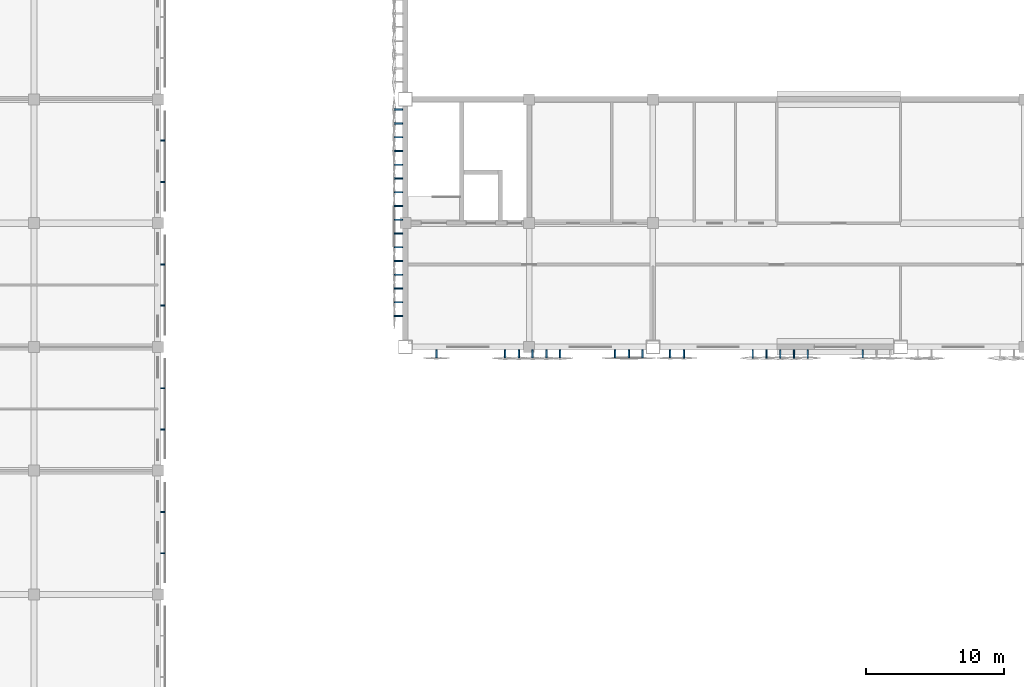
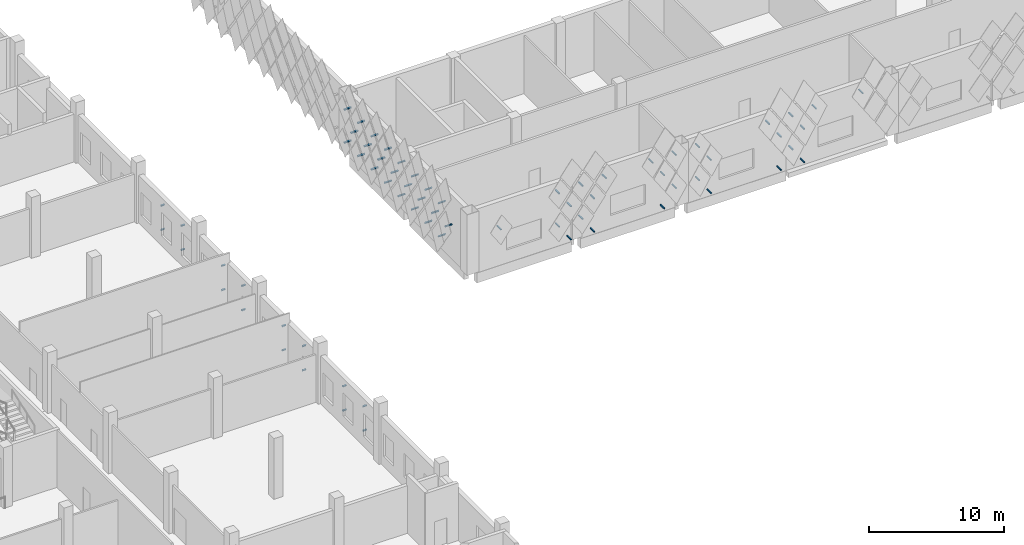
# One storey, part 136 of 185: 68 discrete accessories.
"""IFC4 building model written with IfcOpenShell, lengths in metres."""

from ifc_helpers import new_model, si_unit, direction, frame, origin, origin_2d, place, context, subcontext, project, spatial, polyline, rectangle, outline, extrude, material, type_object, element, save


model = new_model("IFC4")

# Units and contexts
model_context = context("Model", 3, precision=1e-05, world=origin(), true_north=direction((0.0, 1.0)))
body_context = subcontext(model_context, "Body", "Model", "MODEL_VIEW")
ifc_project = project(units=[si_unit("LENGTHUNIT", "METRE"), si_unit("AREAUNIT", "SQUARE_METRE"), si_unit("VOLUMEUNIT", "CUBIC_METRE"), si_unit("PLANEANGLEUNIT", "RADIAN"), si_unit("MASSUNIT", "GRAM", prefix="KILO")], contexts=[model_context])

# Site, building, storey
site_placement = place(None, origin())
site = spatial("IfcSite", under=ifc_project, at=site_placement, CompositionType="ELEMENT")
building_placement = place(site_placement, origin())
building = spatial("IfcBuilding", under=site, at=building_placement, Name="Opaline Strait Convention Centre", CompositionType="ELEMENT")
storey_placement = place(building_placement, frame((0.0, 0.0, 6.0)))
storey = spatial("IfcBuildingStorey", under=building, at=storey_placement, Name="L01", CompositionType="ELEMENT", Elevation=6.0)

# Discrete accessories
ifc_material_1 = material(Name="Stainless steel 316", Category="steel")
discrete_accessory_type_1 = type_object("IfcDiscreteAccessoryType", Name="Screen bracket 300 stainless steel 316", PredefinedType="BRACKET", material=ifc_material_1)
for number, where, z_axis, x_axis, name in (
    (1, (81.35009765625, 39.0, 0.75), (0.0, 0.0, 1.0), (1.0, 0.0, 0.0), "Screen bracket L01 bay 4"),
    (2, (81.35009765625, 39.0, 2.949951171875), (0.0, 0.0, 1.0), (1.0, 0.0, 0.0), "Screen bracket L01 bay 4"),
    (3, (81.35009765625, 42.0, 0.75), (0.0, 0.0, 1.0), (1.0, 0.0, 0.0), "Screen bracket L01 bay 4"),
    (4, (81.35009765625, 42.0, 2.949951171875), (0.0, 0.0, 1.0), (1.0, 0.0, 0.0), "Screen bracket L01 bay 4"),
    (5, (81.35009765625, 48.0, 0.75), (0.0, 0.0, 1.0), (1.0, 0.0, 0.0), "Screen bracket L01 bay 5"),
    (6, (81.35009765625, 48.0, 2.949951171875), (0.0, 0.0, 1.0), (1.0, 0.0, 0.0), "Screen bracket L01 bay 5"),
    (7, (81.35009765625, 51.0, 0.75), (0.0, 0.0, 1.0), (1.0, 0.0, 0.0), "Screen bracket L01 bay 5"),
    (8, (81.35009765625, 51.0, 2.949951171875), (0.0, 0.0, 1.0), (1.0, 0.0, 0.0), "Screen bracket L01 bay 5"),
    (9, (81.35009765625, 57.0, 0.75), (0.0, 0.0, 1.0), (1.0, 0.0, 0.0), "Screen bracket L01 bay 6"),
    (10, (81.35009765625, 57.0, 2.949951171875), (0.0, 0.0, 1.0), (1.0, 0.0, 0.0), "Screen bracket L01 bay 6"),
    (11, (81.35009765625, 60.0, 0.75), (0.0, 0.0, 1.0), (1.0, 0.0, 0.0), "Screen bracket L01 bay 6"),
    (12, (81.35009765625, 60.0, 2.949951171875), (0.0, 0.0, 1.0), (1.0, 0.0, 0.0), "Screen bracket L01 bay 6"),
    (13, (81.35009765625, 66.0, 0.75), (0.0, 0.0, 1.0), (1.0, 0.0, 0.0), "Screen bracket L01 bay 7"),
    (14, (81.35009765625, 66.0, 2.949951171875), (0.0, 0.0, 1.0), (1.0, 0.0, 0.0), "Screen bracket L01 bay 7"),
    (15, (81.35009765625, 69.0, 0.75), (0.0, 0.0, 1.0), (1.0, 0.0, 0.0), "Screen bracket L01 bay 7"),
    (16, (81.35009765625, 69.0, 2.949951171875), (0.0, 0.0, 1.0), (1.0, 0.0, 0.0), "Screen bracket L01 bay 7"),
):
    element("IfcDiscreteAccessory", number, at=place(storey_placement, frame(where, z_axis=z_axis, x_axis=x_axis)), inside=storey, type_object=discrete_accessory_type_1, Name=name, PredefinedType="BRACKET", context=body_context, shape_type="SweptSolid", body=[
        extrude(rectangle(XDim=0.300048828125, YDim=0.10009765625, at=origin_2d()), origin(), (0.0, 0.0, 1.0), 0.10009765625),
    ])
ifc_material_2 = material(Name="Steel Q355B", Category="steel")
discrete_accessory_type_2 = type_object("IfcDiscreteAccessoryType", Name="Tile bracket 100x100 steel", PredefinedType="BRACKET", material=ifc_material_2)
discrete_accessory_1_placement = place(storey_placement, frame((107.199951171875, 53.800048828125, 0.39208984375), z_axis=(1.0, 0.0, 0.0), x_axis=(0.0, 1.0, 0.0)))
element("IfcDiscreteAccessory", 17, at=discrete_accessory_1_placement, inside=storey, type_object=discrete_accessory_type_2, Name="Tile bracket XT07 S", PredefinedType="BRACKET", context=body_context, shape_type="SweptSolid", body=[
    extrude(outline(polyline([(0.0, -0.050048828125), (0.0, 0.050048828125), (-0.60302734375, 0.050048828125), (-0.596923828125, -0.050048828125), (0.0, -0.050048828125)])), origin(), (0.0, 0.0, 1.0), 0.10009765625),
])
discrete_accessory_2_placement = place(storey_placement, frame((109.199951171875, 53.800048828125, 0.39208984375), z_axis=(1.0, 0.0, 0.0), x_axis=(0.0, 1.0, 0.0)))
element("IfcDiscreteAccessory", 18, at=discrete_accessory_2_placement, inside=storey, type_object=discrete_accessory_type_2, Name="Tile bracket XT05 S", PredefinedType="BRACKET", context=body_context, shape_type="SweptSolid", body=[
    extrude(outline(polyline([(0.0, -0.050048828125), (0.0, 0.050048828125), (-0.602294921875, 0.050048828125), (-0.597900390625, -0.050048828125), (0.0, -0.050048828125)])), origin(), (0.0, 0.0, 1.0), 0.10009765625),
])
discrete_accessory_3_placement = place(storey_placement, frame((115.199951171875, 53.800048828125, 0.39208984375), z_axis=(1.0, 0.0, 0.0), x_axis=(0.0, 1.0, 0.0)))
element("IfcDiscreteAccessory", 19, at=discrete_accessory_3_placement, inside=storey, type_object=discrete_accessory_type_2, Name="Tile bracket XT04 S", PredefinedType="BRACKET", context=body_context, shape_type="SweptSolid", body=[
    extrude(outline(polyline([(0.0, -0.050048828125), (0.0, 0.050048828125), (-0.59814453125, 0.050048828125), (-0.601806640625, -0.050048828125), (0.0, -0.050048828125)])), origin(), (0.0, 0.0, 1.0), 0.10009765625),
])
for number, where, z_axis, x_axis, name in (
    (20, (119.199951171875, 53.800048828125, 0.39208984375), (1.0, 0.0, 0.0), (0.0, 1.0, 0.0), "Tile bracket XT09 S"),
    (21, (125.199951171875, 53.800048828125, 0.39208984375), (1.0, 0.0, 0.0), (0.0, 1.0, 0.0), "Tile bracket XT09 S"),
):
    element("IfcDiscreteAccessory", number, at=place(storey_placement, frame(where, z_axis=z_axis, x_axis=x_axis)), inside=storey, type_object=discrete_accessory_type_2, Name=name, PredefinedType="BRACKET", context=body_context, shape_type="SweptSolid", body=[
        extrude(outline(polyline([(0.0, -0.050048828125), (0.0, 0.050048828125), (-0.595947265625, 0.050048828125), (-0.60400390625, -0.050048828125), (0.0, -0.050048828125)])), origin(), (0.0, 0.0, 1.0), 0.10009765625),
    ])
discrete_accessory_4_placement = place(storey_placement, frame((127.199951171875, 53.800048828125, 0.39208984375), z_axis=(1.0, 0.0, 0.0), x_axis=(0.0, 1.0, 0.0)))
element("IfcDiscreteAccessory", 22, at=discrete_accessory_4_placement, inside=storey, type_object=discrete_accessory_type_2, Name="Tile bracket XT07 S", PredefinedType="BRACKET", context=body_context, shape_type="SweptSolid", body=[
    extrude(outline(polyline([(0.0, -0.050048828125), (0.0, 0.050048828125), (-0.596923828125, 0.050048828125), (-0.60302734375, -0.050048828125), (0.0, -0.050048828125)])), origin(), (0.0, 0.0, 1.0), 0.10009765625),
])
discrete_accessory_5_placement = place(storey_placement, frame((106.199951171875, 53.800048828125, 1.89208984375), z_axis=(1.0, 0.0, 0.0), x_axis=(0.0, 1.0, 0.0)))
element("IfcDiscreteAccessory", 23, at=discrete_accessory_5_placement, inside=storey, type_object=discrete_accessory_type_2, Name="Tile bracket XT08 S", PredefinedType="BRACKET", context=body_context, shape_type="SweptSolid", body=[
    extrude(outline(polyline([(0.0, -0.050048828125), (0.0, 0.050048828125), (-0.603515625, 0.050048828125), (-0.596435546875, -0.050048828125), (0.0, -0.050048828125)])), origin(), (0.0, 0.0, 1.0), 0.10009765625),
])
discrete_accessory_6_placement = place(storey_placement, frame((108.199951171875, 53.800048828125, 1.89208984375), z_axis=(1.0, 0.0, 0.0), x_axis=(0.0, 1.0, 0.0)))
element("IfcDiscreteAccessory", 24, at=discrete_accessory_6_placement, inside=storey, type_object=discrete_accessory_type_2, Name="Tile bracket XT07 S", PredefinedType="BRACKET", context=body_context, shape_type="SweptSolid", body=[
    extrude(outline(polyline([(0.0, -0.050048828125), (0.0, 0.050048828125), (-0.60302734375, 0.050048828125), (-0.596923828125, -0.050048828125), (0.0, -0.050048828125)])), origin(), (0.0, 0.0, 1.0), 0.10009765625),
])
discrete_accessory_7_placement = place(storey_placement, frame((116.199951171875, 53.800048828125, 1.89208984375), z_axis=(1.0, 0.0, 0.0), x_axis=(0.0, 1.0, 0.0)))
element("IfcDiscreteAccessory", 25, at=discrete_accessory_7_placement, inside=storey, type_object=discrete_accessory_type_2, Name="Tile bracket XT04 S", PredefinedType="BRACKET", context=body_context, shape_type="SweptSolid", body=[
    extrude(outline(polyline([(0.0, -0.050048828125), (0.0, 0.050048828125), (-0.59814453125, 0.050048828125), (-0.601806640625, -0.050048828125), (0.0, -0.050048828125)])), origin(), (0.0, 0.0, 1.0), 0.10009765625),
])
discrete_accessory_8_placement = place(storey_placement, frame((118.199951171875, 53.800048828125, 1.89208984375), z_axis=(1.0, 0.0, 0.0), x_axis=(0.0, 1.0, 0.0)))
element("IfcDiscreteAccessory", 26, at=discrete_accessory_8_placement, inside=storey, type_object=discrete_accessory_type_2, Name="Tile bracket XT07 S", PredefinedType="BRACKET", context=body_context, shape_type="SweptSolid", body=[
    extrude(outline(polyline([(0.0, -0.050048828125), (0.0, 0.050048828125), (-0.596923828125, 0.050048828125), (-0.60302734375, -0.050048828125), (0.0, -0.050048828125)])), origin(), (0.0, 0.0, 1.0), 0.10009765625),
])
discrete_accessory_9_placement = place(storey_placement, frame((126.199951171875, 53.800048828125, 1.89208984375), z_axis=(1.0, 0.0, 0.0), x_axis=(0.0, 1.0, 0.0)))
element("IfcDiscreteAccessory", 27, at=discrete_accessory_9_placement, inside=storey, type_object=discrete_accessory_type_2, Name="Tile bracket XT10 S", PredefinedType="BRACKET", context=body_context, shape_type="SweptSolid", body=[
    extrude(outline(polyline([(0.0, -0.050048828125), (0.0, 0.050048828125), (-0.595703125, 0.050048828125), (-0.604248046875, -0.050048828125), (0.0, -0.050048828125)])), origin(), (0.0, 0.0, 1.0), 0.10009765625),
])
discrete_accessory_10_placement = place(storey_placement, frame((101.199951171875, 53.800048828125, 3.39208984375), z_axis=(1.0, 0.0, 0.0), x_axis=(0.0, 1.0, 0.0)))
element("IfcDiscreteAccessory", 28, at=discrete_accessory_10_placement, inside=storey, type_object=discrete_accessory_type_2, Name="Tile bracket XT04 S", PredefinedType="BRACKET", context=body_context, shape_type="SweptSolid", body=[
    extrude(outline(polyline([(0.0, -0.050048828125), (0.0, 0.050048828125), (-0.601806640625, 0.050048828125), (-0.59814453125, -0.050048828125), (0.0, -0.050048828125)])), origin(), (0.0, 0.0, 1.0), 0.10009765625),
])
discrete_accessory_11_placement = place(storey_placement, frame((107.199951171875, 53.800048828125, 3.39208984375), z_axis=(1.0, 0.0, 0.0), x_axis=(0.0, 1.0, 0.0)))
element("IfcDiscreteAccessory", 29, at=discrete_accessory_11_placement, inside=storey, type_object=discrete_accessory_type_2, Name="Tile bracket XT08 S", PredefinedType="BRACKET", context=body_context, shape_type="SweptSolid", body=[
    extrude(outline(polyline([(0.0, -0.050048828125), (0.0, 0.050048828125), (-0.603515625, 0.050048828125), (-0.596435546875, -0.050048828125), (0.0, -0.050048828125)])), origin(), (0.0, 0.0, 1.0), 0.10009765625),
])
discrete_accessory_12_placement = place(storey_placement, frame((109.199951171875, 53.800048828125, 3.39208984375), z_axis=(1.0, 0.0, 0.0), x_axis=(0.0, 1.0, 0.0)))
element("IfcDiscreteAccessory", 30, at=discrete_accessory_12_placement, inside=storey, type_object=discrete_accessory_type_2, Name="Tile bracket XT07 S", PredefinedType="BRACKET", context=body_context, shape_type="SweptSolid", body=[
    extrude(outline(polyline([(0.0, -0.050048828125), (0.0, 0.050048828125), (-0.60302734375, 0.050048828125), (-0.596923828125, -0.050048828125), (0.0, -0.050048828125)])), origin(), (0.0, 0.0, 1.0), 0.10009765625),
])
discrete_accessory_13_placement = place(storey_placement, frame((115.199951171875, 53.800048828125, 3.39208984375), z_axis=(1.0, 0.0, 0.0), x_axis=(0.0, 1.0, 0.0)))
element("IfcDiscreteAccessory", 31, at=discrete_accessory_13_placement, inside=storey, type_object=discrete_accessory_type_2, Name="Tile bracket XT03 S", PredefinedType="BRACKET", context=body_context, shape_type="SweptSolid", body=[
    extrude(outline(polyline([(0.0, -0.050048828125), (0.0, 0.050048828125), (-0.5986328125, 0.050048828125), (-0.601318359375, -0.050048828125), (0.0, -0.050048828125)])), origin(), (0.0, 0.0, 1.0), 0.10009765625),
])
discrete_accessory_14_placement = place(storey_placement, frame((119.199951171875, 53.800048828125, 3.39208984375), z_axis=(1.0, 0.0, 0.0), x_axis=(0.0, 1.0, 0.0)))
element("IfcDiscreteAccessory", 32, at=discrete_accessory_14_placement, inside=storey, type_object=discrete_accessory_type_2, Name="Tile bracket XT07 S", PredefinedType="BRACKET", context=body_context, shape_type="SweptSolid", body=[
    extrude(outline(polyline([(0.0, -0.050048828125), (0.0, 0.050048828125), (-0.596923828125, 0.050048828125), (-0.60302734375, -0.050048828125), (0.0, -0.050048828125)])), origin(), (0.0, 0.0, 1.0), 0.10009765625),
])
discrete_accessory_15_placement = place(storey_placement, frame((125.199951171875, 53.800048828125, 3.39208984375), z_axis=(1.0, 0.0, 0.0), x_axis=(0.0, 1.0, 0.0)))
element("IfcDiscreteAccessory", 33, at=discrete_accessory_15_placement, inside=storey, type_object=discrete_accessory_type_2, Name="Tile bracket XT11 S", PredefinedType="BRACKET", context=body_context, shape_type="SweptSolid", body=[
    extrude(outline(polyline([(0.0, -0.050048828125), (0.0, 0.050048828125), (-0.59521484375, 0.050048828125), (-0.604736328125, -0.050048828125), (0.0, -0.050048828125)])), origin(), (0.0, 0.0, 1.0), 0.10009765625),
])
discrete_accessory_16_placement = place(storey_placement, frame((127.199951171875, 53.800048828125, 3.39208984375), z_axis=(1.0, 0.0, 0.0), x_axis=(0.0, 1.0, 0.0)))
element("IfcDiscreteAccessory", 34, at=discrete_accessory_16_placement, inside=storey, type_object=discrete_accessory_type_2, Name="Tile bracket XT10 S", PredefinedType="BRACKET", context=body_context, shape_type="SweptSolid", body=[
    extrude(outline(polyline([(0.0, -0.050048828125), (0.0, 0.050048828125), (-0.595703125, 0.050048828125), (-0.604248046875, -0.050048828125), (0.0, -0.050048828125)])), origin(), (0.0, 0.0, 1.0), 0.10009765625),
])
for number, where, z_axis, x_axis, name in (
    (35, (106.199951171875, 53.800048828125, 4.89208984375), (1.0, 0.0, 0.0), (0.0, 1.0, 0.0), "Tile bracket XT08 S"),
    (36, (108.199951171875, 53.800048828125, 4.89208984375), (1.0, 0.0, 0.0), (0.0, 1.0, 0.0), "Tile bracket XT08 S"),
):
    element("IfcDiscreteAccessory", number, at=place(storey_placement, frame(where, z_axis=z_axis, x_axis=x_axis)), inside=storey, type_object=discrete_accessory_type_2, Name=name, PredefinedType="BRACKET", context=body_context, shape_type="SweptSolid", body=[
        extrude(outline(polyline([(0.0, -0.050048828125), (0.0, 0.050048828125), (-0.603515625, 0.050048828125), (-0.596435546875, -0.050048828125), (0.0, -0.050048828125)])), origin(), (0.0, 0.0, 1.0), 0.10009765625),
    ])
discrete_accessory_17_placement = place(storey_placement, frame((110.199951171875, 53.800048828125, 4.89208984375), z_axis=(1.0, 0.0, 0.0), x_axis=(0.0, 1.0, 0.0)))
element("IfcDiscreteAccessory", 37, at=discrete_accessory_17_placement, inside=storey, type_object=discrete_accessory_type_2, Name="Tile bracket XT07 S", PredefinedType="BRACKET", context=body_context, shape_type="SweptSolid", body=[
    extrude(outline(polyline([(0.0, -0.050048828125), (0.0, 0.050048828125), (-0.60302734375, 0.050048828125), (-0.596923828125, -0.050048828125), (0.0, -0.050048828125)])), origin(), (0.0, 0.0, 1.0), 0.10009765625),
])
discrete_accessory_18_placement = place(storey_placement, frame((114.199951171875, 53.800048828125, 4.89208984375), z_axis=(1.0, 0.0, 0.0), x_axis=(0.0, 1.0, 0.0)))
element("IfcDiscreteAccessory", 38, at=discrete_accessory_18_placement, inside=storey, type_object=discrete_accessory_type_2, Name="Tile bracket XT03 S", PredefinedType="BRACKET", context=body_context, shape_type="SweptSolid", body=[
    extrude(outline(polyline([(0.0, -0.050048828125), (0.0, 0.050048828125), (-0.601318359375, 0.050048828125), (-0.5986328125, -0.050048828125), (0.0, -0.050048828125)])), origin(), (0.0, 0.0, 1.0), 0.10009765625),
])
for number, where, z_axis, x_axis, name in (
    (39, (116.199951171875, 53.800048828125, 4.89208984375), (1.0, 0.0, 0.0), (0.0, 1.0, 0.0), "Tile bracket XT04 S"),
    (40, (118.199951171875, 53.800048828125, 4.89208984375), (1.0, 0.0, 0.0), (0.0, 1.0, 0.0), "Tile bracket XT04 S"),
):
    element("IfcDiscreteAccessory", number, at=place(storey_placement, frame(where, z_axis=z_axis, x_axis=x_axis)), inside=storey, type_object=discrete_accessory_type_2, Name=name, PredefinedType="BRACKET", context=body_context, shape_type="SweptSolid", body=[
        extrude(outline(polyline([(0.0, -0.050048828125), (0.0, 0.050048828125), (-0.59814453125, 0.050048828125), (-0.601806640625, -0.050048828125), (0.0, -0.050048828125)])), origin(), (0.0, 0.0, 1.0), 0.10009765625),
    ])
discrete_accessory_19_placement = place(storey_placement, frame((124.199951171875, 53.800048828125, 4.89208984375), z_axis=(1.0, 0.0, 0.0), x_axis=(0.0, 1.0, 0.0)))
element("IfcDiscreteAccessory", 41, at=discrete_accessory_19_placement, inside=storey, type_object=discrete_accessory_type_2, Name="Tile bracket XT11 S", PredefinedType="BRACKET", context=body_context, shape_type="SweptSolid", body=[
    extrude(outline(polyline([(0.0, -0.050048828125), (0.0, 0.050048828125), (-0.59521484375, 0.050048828125), (-0.604736328125, -0.050048828125), (0.0, -0.050048828125)])), origin(), (0.0, 0.0, 1.0), 0.10009765625),
])
discrete_accessory_20_placement = place(storey_placement, frame((126.199951171875, 53.800048828125, 4.89208984375), z_axis=(1.0, 0.0, 0.0), x_axis=(0.0, 1.0, 0.0)))
element("IfcDiscreteAccessory", 42, at=discrete_accessory_20_placement, inside=storey, type_object=discrete_accessory_type_2, Name="Tile bracket XT12 S", PredefinedType="BRACKET", context=body_context, shape_type="SweptSolid", body=[
    extrude(outline(polyline([(0.0, -0.050048828125), (0.0, 0.050048828125), (-0.5947265625, 0.050048828125), (-0.605224609375, -0.050048828125), (0.0, -0.050048828125)])), origin(), (0.0, 0.0, 1.0), 0.10009765625),
])
discrete_accessory_21_placement = place(storey_placement, frame((128.199951171875, 53.800048828125, 4.89208984375), z_axis=(1.0, 0.0, 0.0), x_axis=(0.0, 1.0, 0.0)))
element("IfcDiscreteAccessory", 43, at=discrete_accessory_21_placement, inside=storey, type_object=discrete_accessory_type_2, Name="Tile bracket XT10 S", PredefinedType="BRACKET", context=body_context, shape_type="SweptSolid", body=[
    extrude(outline(polyline([(0.0, -0.050048828125), (0.0, 0.050048828125), (-0.595703125, 0.050048828125), (-0.604248046875, -0.050048828125), (0.0, -0.050048828125)])), origin(), (0.0, 0.0, 1.0), 0.10009765625),
])
discrete_accessory_22_placement = place(storey_placement, frame((132.199951171875, 53.800048828125, 4.89208984375), z_axis=(1.0, 0.0, 0.0), x_axis=(0.0, 1.0, 0.0)))
element("IfcDiscreteAccessory", 44, at=discrete_accessory_22_placement, inside=storey, type_object=discrete_accessory_type_2, Name="Tile bracket XT05 S", PredefinedType="BRACKET", context=body_context, shape_type="SweptSolid", body=[
    extrude(outline(polyline([(0.0, -0.050048828125), (0.0, 0.050048828125), (-0.597900390625, 0.050048828125), (-0.602294921875, -0.050048828125), (0.0, -0.050048828125)])), origin(), (0.0, 0.0, 1.0), 0.10009765625),
])
discrete_accessory_23_placement = place(storey_placement, frame((98.800048828125, 71.300048828125, 1.39208984375), z_axis=(0.0, -1.0, 0.0), x_axis=(1.0, 0.0, 0.0)))
element("IfcDiscreteAccessory", 45, at=discrete_accessory_23_placement, inside=storey, type_object=discrete_accessory_type_2, Name="Tile bracket XT09 W", PredefinedType="BRACKET", context=body_context, shape_type="SweptSolid", body=[
    extrude(outline(polyline([(0.0, -0.050048828125), (0.0, 0.050048828125), (-0.60400390625, 0.050048828125), (-0.595947265625, -0.050048828125), (0.0, -0.050048828125)])), origin(), (0.0, 0.0, 1.0), 0.10009765625),
])
discrete_accessory_24_placement = place(storey_placement, frame((98.800048828125, 69.300048828125, 1.39208984375), z_axis=(0.0, -1.0, 0.0), x_axis=(1.0, 0.0, 0.0)))
element("IfcDiscreteAccessory", 46, at=discrete_accessory_24_placement, inside=storey, type_object=discrete_accessory_type_2, Name="Tile bracket XT05 W", PredefinedType="BRACKET", context=body_context, shape_type="SweptSolid", body=[
    extrude(outline(polyline([(0.0, -0.050048828125), (0.0, 0.050048828125), (-0.602294921875, 0.050048828125), (-0.597900390625, -0.050048828125), (0.0, -0.050048828125)])), origin(), (0.0, 0.0, 1.0), 0.10009765625),
])
discrete_accessory_25_placement = place(storey_placement, frame((98.800048828125, 67.300048828125, 1.39208984375), z_axis=(0.0, -1.0, 0.0), x_axis=(1.0, 0.0, 0.0)))
element("IfcDiscreteAccessory", 47, at=discrete_accessory_25_placement, inside=storey, type_object=discrete_accessory_type_2, Name="Tile bracket XT04 W", PredefinedType="BRACKET", context=body_context, shape_type="SweptSolid", body=[
    extrude(outline(polyline([(0.0, -0.050048828125), (0.0, 0.050048828125), (-0.601806640625, 0.050048828125), (-0.59814453125, -0.050048828125), (0.0, -0.050048828125)])), origin(), (0.0, 0.0, 1.0), 0.10009765625),
])
discrete_accessory_26_placement = place(storey_placement, frame((98.800048828125, 65.300048828125, 1.39208984375), z_axis=(0.0, -1.0, 0.0), x_axis=(1.0, 0.0, 0.0)))
element("IfcDiscreteAccessory", 48, at=discrete_accessory_26_placement, inside=storey, type_object=discrete_accessory_type_2, Name="Tile bracket XT04 W", PredefinedType="BRACKET", context=body_context, shape_type="SweptSolid", body=[
    extrude(outline(polyline([(0.0, -0.050048828125), (0.0, 0.050048828125), (-0.59814453125, 0.050048828125), (-0.601806640625, -0.050048828125), (0.0, -0.050048828125)])), origin(), (0.0, 0.0, 1.0), 0.10009765625),
])
discrete_accessory_27_placement = place(storey_placement, frame((98.800048828125, 63.300048828125, 1.39208984375), z_axis=(0.0, -1.0, 0.0), x_axis=(1.0, 0.0, 0.0)))
element("IfcDiscreteAccessory", 49, at=discrete_accessory_27_placement, inside=storey, type_object=discrete_accessory_type_2, Name="Tile bracket XT05 W", PredefinedType="BRACKET", context=body_context, shape_type="SweptSolid", body=[
    extrude(outline(polyline([(0.0, -0.050048828125), (0.0, 0.050048828125), (-0.597900390625, 0.050048828125), (-0.602294921875, -0.050048828125), (0.0, -0.050048828125)])), origin(), (0.0, 0.0, 1.0), 0.10009765625),
])
discrete_accessory_28_placement = place(storey_placement, frame((98.800048828125, 61.300048828125, 1.39208984375), z_axis=(0.0, -1.0, 0.0), x_axis=(1.0, 0.0, 0.0)))
element("IfcDiscreteAccessory", 50, at=discrete_accessory_28_placement, inside=storey, type_object=discrete_accessory_type_2, Name="Tile bracket XT07 W", PredefinedType="BRACKET", context=body_context, shape_type="SweptSolid", body=[
    extrude(outline(polyline([(0.0, -0.050048828125), (0.0, 0.050048828125), (-0.596923828125, 0.050048828125), (-0.60302734375, -0.050048828125), (0.0, -0.050048828125)])), origin(), (0.0, 0.0, 1.0), 0.10009765625),
])
discrete_accessory_29_placement = place(storey_placement, frame((98.800048828125, 59.300048828125, 1.39208984375), z_axis=(0.0, -1.0, 0.0), x_axis=(1.0, 0.0, 0.0)))
element("IfcDiscreteAccessory", 51, at=discrete_accessory_29_placement, inside=storey, type_object=discrete_accessory_type_2, Name="Tile bracket XT08 W", PredefinedType="BRACKET", context=body_context, shape_type="SweptSolid", body=[
    extrude(outline(polyline([(0.0, -0.050048828125), (0.0, 0.050048828125), (-0.596435546875, 0.050048828125), (-0.603515625, -0.050048828125), (0.0, -0.050048828125)])), origin(), (0.0, 0.0, 1.0), 0.10009765625),
])
discrete_accessory_30_placement = place(storey_placement, frame((98.800048828125, 57.300048828125, 1.39208984375), z_axis=(0.0, -1.0, 0.0), x_axis=(1.0, 0.0, 0.0)))
element("IfcDiscreteAccessory", 52, at=discrete_accessory_30_placement, inside=storey, type_object=discrete_accessory_type_2, Name="Tile bracket XT07 W", PredefinedType="BRACKET", context=body_context, shape_type="SweptSolid", body=[
    extrude(outline(polyline([(0.0, -0.050048828125), (0.0, 0.050048828125), (-0.596923828125, 0.050048828125), (-0.60302734375, -0.050048828125), (0.0, -0.050048828125)])), origin(), (0.0, 0.0, 1.0), 0.10009765625),
])
discrete_accessory_31_placement = place(storey_placement, frame((98.800048828125, 70.300048828125, 2.89208984375), z_axis=(0.0, -1.0, 0.0), x_axis=(1.0, 0.0, 0.0)))
element("IfcDiscreteAccessory", 53, at=discrete_accessory_31_placement, inside=storey, type_object=discrete_accessory_type_2, Name="Tile bracket XT08 W", PredefinedType="BRACKET", context=body_context, shape_type="SweptSolid", body=[
    extrude(outline(polyline([(0.0, -0.050048828125), (0.0, 0.050048828125), (-0.603515625, 0.050048828125), (-0.596435546875, -0.050048828125), (0.0, -0.050048828125)])), origin(), (0.0, 0.0, 1.0), 0.10009765625),
])
discrete_accessory_32_placement = place(storey_placement, frame((98.800048828125, 68.300048828125, 2.89208984375), z_axis=(0.0, -1.0, 0.0), x_axis=(1.0, 0.0, 0.0)))
element("IfcDiscreteAccessory", 54, at=discrete_accessory_32_placement, inside=storey, type_object=discrete_accessory_type_2, Name="Tile bracket XT05 W", PredefinedType="BRACKET", context=body_context, shape_type="SweptSolid", body=[
    extrude(outline(polyline([(0.0, -0.050048828125), (0.0, 0.050048828125), (-0.602294921875, 0.050048828125), (-0.597900390625, -0.050048828125), (0.0, -0.050048828125)])), origin(), (0.0, 0.0, 1.0), 0.10009765625),
])
discrete_accessory_33_placement = place(storey_placement, frame((98.800048828125, 66.300048828125, 2.89208984375), z_axis=(0.0, -1.0, 0.0), x_axis=(1.0, 0.0, 0.0)))
element("IfcDiscreteAccessory", 55, at=discrete_accessory_33_placement, inside=storey, type_object=discrete_accessory_type_2, Name="Tile bracket XT04 W", PredefinedType="BRACKET", context=body_context, shape_type="SweptSolid", body=[
    extrude(outline(polyline([(0.0, -0.050048828125), (0.0, 0.050048828125), (-0.601806640625, 0.050048828125), (-0.59814453125, -0.050048828125), (0.0, -0.050048828125)])), origin(), (0.0, 0.0, 1.0), 0.10009765625),
])
discrete_accessory_34_placement = place(storey_placement, frame((98.800048828125, 64.300048828125, 2.89208984375), z_axis=(0.0, -1.0, 0.0), x_axis=(1.0, 0.0, 0.0)))
element("IfcDiscreteAccessory", 56, at=discrete_accessory_34_placement, inside=storey, type_object=discrete_accessory_type_2, Name="Tile bracket XT04 W", PredefinedType="BRACKET", context=body_context, shape_type="SweptSolid", body=[
    extrude(outline(polyline([(0.0, -0.050048828125), (0.0, 0.050048828125), (-0.59814453125, 0.050048828125), (-0.601806640625, -0.050048828125), (0.0, -0.050048828125)])), origin(), (0.0, 0.0, 1.0), 0.10009765625),
])
discrete_accessory_35_placement = place(storey_placement, frame((98.800048828125, 62.300048828125, 2.89208984375), z_axis=(0.0, -1.0, 0.0), x_axis=(1.0, 0.0, 0.0)))
element("IfcDiscreteAccessory", 57, at=discrete_accessory_35_placement, inside=storey, type_object=discrete_accessory_type_2, Name="Tile bracket XT05 W", PredefinedType="BRACKET", context=body_context, shape_type="SweptSolid", body=[
    extrude(outline(polyline([(0.0, -0.050048828125), (0.0, 0.050048828125), (-0.597900390625, 0.050048828125), (-0.602294921875, -0.050048828125), (0.0, -0.050048828125)])), origin(), (0.0, 0.0, 1.0), 0.10009765625),
])
discrete_accessory_36_placement = place(storey_placement, frame((98.800048828125, 60.300048828125, 2.89208984375), z_axis=(0.0, -1.0, 0.0), x_axis=(1.0, 0.0, 0.0)))
element("IfcDiscreteAccessory", 58, at=discrete_accessory_36_placement, inside=storey, type_object=discrete_accessory_type_2, Name="Tile bracket XT06 W", PredefinedType="BRACKET", context=body_context, shape_type="SweptSolid", body=[
    extrude(outline(polyline([(0.0, -0.050048828125), (0.0, 0.050048828125), (-0.597412109375, 0.050048828125), (-0.6025390625, -0.050048828125), (0.0, -0.050048828125)])), origin(), (0.0, 0.0, 1.0), 0.10009765625),
])
for number, where, z_axis, x_axis, name in (
    (59, (98.800048828125, 58.300048828125, 2.89208984375), (0.0, -1.0, 0.0), (1.0, 0.0, 0.0), "Tile bracket XT07 W"),
    (60, (98.800048828125, 56.300048828125, 2.89208984375), (0.0, -1.0, 0.0), (1.0, 0.0, 0.0), "Tile bracket XT07 W"),
):
    element("IfcDiscreteAccessory", number, at=place(storey_placement, frame(where, z_axis=z_axis, x_axis=x_axis)), inside=storey, type_object=discrete_accessory_type_2, Name=name, PredefinedType="BRACKET", context=body_context, shape_type="SweptSolid", body=[
        extrude(outline(polyline([(0.0, -0.050048828125), (0.0, 0.050048828125), (-0.596923828125, 0.050048828125), (-0.60302734375, -0.050048828125), (0.0, -0.050048828125)])), origin(), (0.0, 0.0, 1.0), 0.10009765625),
    ])
discrete_accessory_37_placement = place(storey_placement, frame((98.800048828125, 71.300048828125, 4.39208984375), z_axis=(0.0, -1.0, 0.0), x_axis=(1.0, 0.0, 0.0)))
element("IfcDiscreteAccessory", 61, at=discrete_accessory_37_placement, inside=storey, type_object=discrete_accessory_type_2, Name="Tile bracket XT11 W", PredefinedType="BRACKET", context=body_context, shape_type="SweptSolid", body=[
    extrude(outline(polyline([(0.0, -0.050048828125), (0.0, 0.050048828125), (-0.604736328125, 0.050048828125), (-0.59521484375, -0.050048828125), (0.0, -0.050048828125)])), origin(), (0.0, 0.0, 1.0), 0.10009765625),
])
discrete_accessory_38_placement = place(storey_placement, frame((98.800048828125, 69.300048828125, 4.39208984375), z_axis=(0.0, -1.0, 0.0), x_axis=(1.0, 0.0, 0.0)))
element("IfcDiscreteAccessory", 62, at=discrete_accessory_38_placement, inside=storey, type_object=discrete_accessory_type_2, Name="Tile bracket XT08 W", PredefinedType="BRACKET", context=body_context, shape_type="SweptSolid", body=[
    extrude(outline(polyline([(0.0, -0.050048828125), (0.0, 0.050048828125), (-0.603515625, 0.050048828125), (-0.596435546875, -0.050048828125), (0.0, -0.050048828125)])), origin(), (0.0, 0.0, 1.0), 0.10009765625),
])
discrete_accessory_39_placement = place(storey_placement, frame((98.800048828125, 67.300048828125, 4.39208984375), z_axis=(0.0, -1.0, 0.0), x_axis=(1.0, 0.0, 0.0)))
element("IfcDiscreteAccessory", 63, at=discrete_accessory_39_placement, inside=storey, type_object=discrete_accessory_type_2, Name="Tile bracket XT05 W", PredefinedType="BRACKET", context=body_context, shape_type="SweptSolid", body=[
    extrude(outline(polyline([(0.0, -0.050048828125), (0.0, 0.050048828125), (-0.602294921875, 0.050048828125), (-0.597900390625, -0.050048828125), (0.0, -0.050048828125)])), origin(), (0.0, 0.0, 1.0), 0.10009765625),
])
discrete_accessory_40_placement = place(storey_placement, frame((98.800048828125, 65.300048828125, 4.39208984375), z_axis=(0.0, -1.0, 0.0), x_axis=(1.0, 0.0, 0.0)))
element("IfcDiscreteAccessory", 64, at=discrete_accessory_40_placement, inside=storey, type_object=discrete_accessory_type_2, Name="Tile bracket XT04 W", PredefinedType="BRACKET", context=body_context, shape_type="SweptSolid", body=[
    extrude(outline(polyline([(0.0, -0.050048828125), (0.0, 0.050048828125), (-0.601806640625, 0.050048828125), (-0.59814453125, -0.050048828125), (0.0, -0.050048828125)])), origin(), (0.0, 0.0, 1.0), 0.10009765625),
])
discrete_accessory_41_placement = place(storey_placement, frame((98.800048828125, 63.300048828125, 4.39208984375), z_axis=(0.0, -1.0, 0.0), x_axis=(1.0, 0.0, 0.0)))
element("IfcDiscreteAccessory", 65, at=discrete_accessory_41_placement, inside=storey, type_object=discrete_accessory_type_2, Name="Tile bracket XT03 W", PredefinedType="BRACKET", context=body_context, shape_type="SweptSolid", body=[
    extrude(outline(polyline([(0.0, -0.050048828125), (0.0, 0.050048828125), (-0.5986328125, 0.050048828125), (-0.601318359375, -0.050048828125), (0.0, -0.050048828125)])), origin(), (0.0, 0.0, 1.0), 0.10009765625),
])
discrete_accessory_42_placement = place(storey_placement, frame((98.800048828125, 61.300048828125, 4.39208984375), z_axis=(0.0, -1.0, 0.0), x_axis=(1.0, 0.0, 0.0)))
element("IfcDiscreteAccessory", 66, at=discrete_accessory_42_placement, inside=storey, type_object=discrete_accessory_type_2, Name="Tile bracket XT04 W", PredefinedType="BRACKET", context=body_context, shape_type="SweptSolid", body=[
    extrude(outline(polyline([(0.0, -0.050048828125), (0.0, 0.050048828125), (-0.59814453125, 0.050048828125), (-0.601806640625, -0.050048828125), (0.0, -0.050048828125)])), origin(), (0.0, 0.0, 1.0), 0.10009765625),
])
discrete_accessory_43_placement = place(storey_placement, frame((98.800048828125, 59.300048828125, 4.39208984375), z_axis=(0.0, -1.0, 0.0), x_axis=(1.0, 0.0, 0.0)))
element("IfcDiscreteAccessory", 67, at=discrete_accessory_43_placement, inside=storey, type_object=discrete_accessory_type_2, Name="Tile bracket XT06 W", PredefinedType="BRACKET", context=body_context, shape_type="SweptSolid", body=[
    extrude(outline(polyline([(0.0, -0.050048828125), (0.0, 0.050048828125), (-0.597412109375, 0.050048828125), (-0.6025390625, -0.050048828125), (0.0, -0.050048828125)])), origin(), (0.0, 0.0, 1.0), 0.10009765625),
])
discrete_accessory_44_placement = place(storey_placement, frame((98.800048828125, 57.300048828125, 4.39208984375), z_axis=(0.0, -1.0, 0.0), x_axis=(1.0, 0.0, 0.0)))
element("IfcDiscreteAccessory", 68, at=discrete_accessory_44_placement, inside=storey, type_object=discrete_accessory_type_2, Name="Tile bracket XT07 W", PredefinedType="BRACKET", context=body_context, shape_type="SweptSolid", body=[
    extrude(outline(polyline([(0.0, -0.050048828125), (0.0, 0.050048828125), (-0.596923828125, 0.050048828125), (-0.60302734375, -0.050048828125), (0.0, -0.050048828125)])), origin(), (0.0, 0.0, 1.0), 0.10009765625),
])

save(model, "model.ifc")
